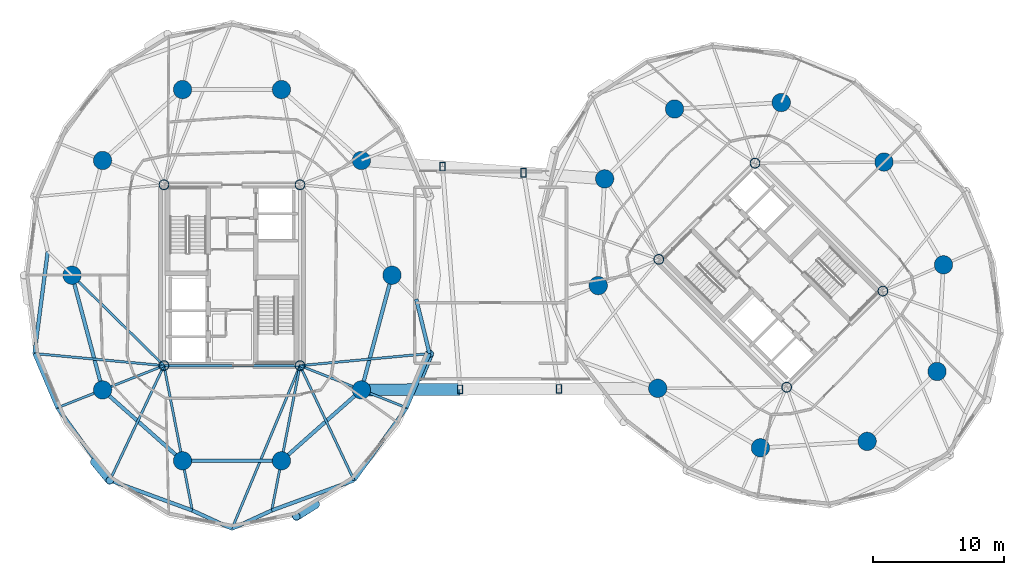
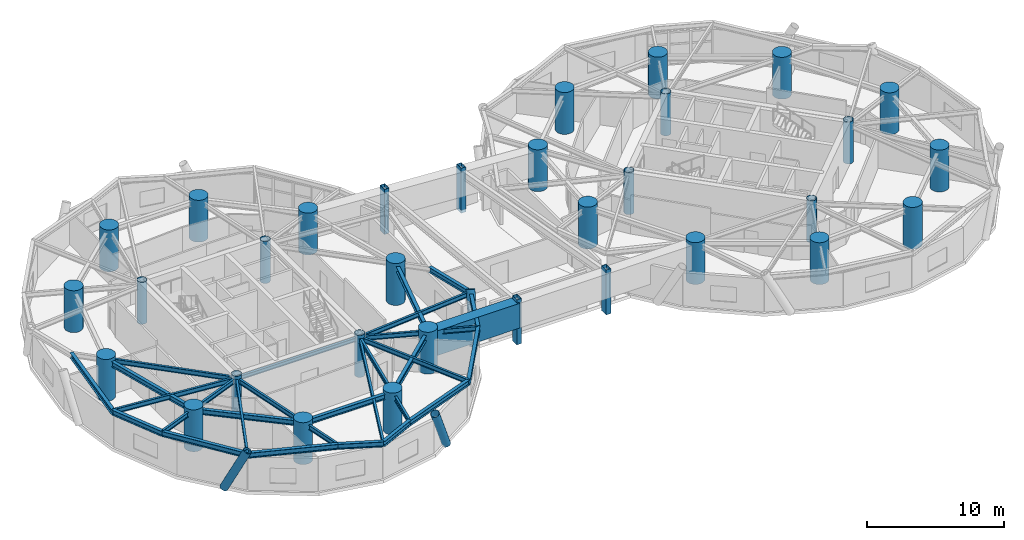
# One storey, part 1 of 17: 32 columns, 27 beams, 3 members.
"""IFC4 building model written with IfcOpenShell, lengths in metres."""

from ifc_helpers import new_model, si_unit, direction, frame, origin, origin_2d, place, context, subcontext, project, spatial, hollow_rectangle, circle, hollow_circle, i_section, extrude, material, material_profile, profile_set, type_object, element, save


model = new_model("IFC4")

# Units and contexts
model_context = context("Model", 3, precision=1e-05, world=origin(), true_north=direction((0.0, 1.0)))
body_context = subcontext(model_context, "Body", "Model", "MODEL_VIEW")
ifc_project = project(units=[si_unit("LENGTHUNIT", "METRE"), si_unit("AREAUNIT", "SQUARE_METRE"), si_unit("VOLUMEUNIT", "CUBIC_METRE"), si_unit("PLANEANGLEUNIT", "RADIAN"), si_unit("MASSUNIT", "GRAM", prefix="KILO")], contexts=[model_context])

# Site, building, storey
site_placement = place(None, origin())
site = spatial("IfcSite", under=ifc_project, at=site_placement, CompositionType="ELEMENT")
building_placement = place(site_placement, origin())
building = spatial("IfcBuilding", under=site, at=building_placement, Name="Cununo Teusaquillo Station Towers", CompositionType="ELEMENT")
storey_placement = place(building_placement, frame((0.0, 0.0, 125.43994140625)))
storey = spatial("IfcBuildingStorey", under=building, at=storey_placement, Name="L40", CompositionType="ELEMENT", Elevation=125.43994140625)

# Columns
ifc_material_1 = material(Name="Steel ASTM A572 Grade 50", Category="steel")
ifc_material_profile_1 = material_profile(ifc_material_1, hollow_rectangle(XDim=0.39990234375, YDim=0.64990234375, WallThickness=0.02490234375, at=origin_2d()), Name="RHS 650x400x25")
ifc_profile_set_1 = profile_set([ifc_material_profile_1], Name="Steel ASTM A572 Grade 50")
column_type_1 = type_object("IfcColumnType", Name="COL-BRG-POST", PredefinedType="COLUMN", material=ifc_profile_set_1)
for number, where, z_axis, x_axis, name in (
    (1, (33.862548828125, 15.81201171875, -0.280029296875), (0.0, 0.0, 1.0), (1.0, 0.0, 0.0), "L40 Mid-Bridge Vierendeel Post S1"),
    (2, (41.377685546875, 15.8525390625, -0.280029296875), (0.0, 0.0, 1.0), (1.0, 0.0, 0.0), "L40 Mid-Bridge Vierendeel Post S2"),
    (3, (32.51611328125, 32.761474609375, -0.280029296875), (0.0, 0.0, 1.0), (1.0, 0.0, 0.0), "L40 Mid-Bridge Vierendeel Post N1"),
    (4, (38.684814453125, 32.294189453125, -0.280029296875), (0.0, 0.0, 1.0), (1.0, 0.0, 0.0), "L40 Mid-Bridge Vierendeel Post N2"),
):
    element("IfcColumn", number, at=place(storey_placement, frame(where, z_axis=z_axis, x_axis=x_axis)), inside=storey, type_object=column_type_1, Name=name, PredefinedType="COLUMN", context=body_context, shape_type="SweptSolid", body=[
        extrude(hollow_rectangle(XDim=0.39990234375, YDim=0.64990234375, WallThickness=0.02490234375, at=origin_2d()), origin(), (0.0, 0.0, 1.0), 4.0),
    ])
ifc_material_2 = material(Name="Steel EN 10025-2 S355J2", Category="steel")
ifc_material_profile_2 = material_profile(ifc_material_2, hollow_circle(Radius=0.3798828125, WallThickness=0.031982421875, at=origin_2d()), Name="CHS 760x32")
ifc_profile_set_2 = profile_set([ifc_material_profile_2], Name="Steel EN 10025-2 S355J2")
column_type_2 = type_object("IfcColumnType", Name="COL-CORE-Z2", PredefinedType="COLUMN", material=ifc_profile_set_2)
for number, where, z_axis, x_axis, name in (
    (5, (11.324951171875, 17.6201171875, 0.0), (0.0, 0.0, 1.0), (1.0, 0.0, 0.0), "L40 Tower A Core Column 1"),
    (6, (11.324951171875, 31.3798828125, 0.0), (0.0, 0.0, 1.0), (1.0, 0.0, 0.0), "L40 Tower A Core Column 2"),
    (7, (21.675048828125, 17.6201171875, 0.0), (0.0, 0.0, 1.0), (1.0, 0.0, 0.0), "L40 Tower A Core Column 3"),
    (8, (21.675048828125, 31.3798828125, 0.0), (0.0, 0.0, 1.0), (1.0, 0.0, 0.0), "L40 Tower A Core Column 4"),
    (9, (58.70556640625, 15.975830078125, 0.0), (0.0, 0.0, 1.0), (0.707106781187, 0.707106781187, 0.0), "L40 Tower B Core Column 1"),
    (10, (48.975830078125, 25.70556640625, 0.0), (0.0, 0.0, 1.0), (0.707106781187, 0.707106781187, 0.0), "L40 Tower B Core Column 2"),
    (11, (66.024169921875, 23.29443359375, 0.0), (0.0, 0.0, 1.0), (0.707106781187, 0.707106781187, 0.0), "L40 Tower B Core Column 3"),
    (12, (56.29443359375, 33.024169921875, 0.0), (0.0, 0.0, 1.0), (0.707106781187, 0.707106781187, 0.0), "L40 Tower B Core Column 4"),
):
    element("IfcColumn", number, at=place(storey_placement, frame(where, z_axis=z_axis, x_axis=x_axis)), inside=storey, type_object=column_type_2, Name=name, PredefinedType="COLUMN", context=body_context, shape_type="SweptSolid", body=[
        extrude(hollow_circle(Radius=0.3798828125, WallThickness=0.031982421875, at=origin_2d()), origin(), (0.0, 0.0, 1.0), 3.719970703125),
    ])
ifc_material_3 = material(Name="Concrete C60/75", Category="concrete")
ifc_material_profile_3 = material_profile(ifc_material_3, circle(Radius=0.699951171875, at=origin_2d()), Name="RC-CIRC-1400")
ifc_profile_set_3 = profile_set([ifc_material_profile_3], Name="Concrete C60/75")
column_type_3 = type_object("IfcColumnType", Name="COL-MEGA-Z2", PredefinedType="USERDEFINED", material=ifc_profile_set_3)
for number, where, z_axis, x_axis, name in (
    (13, (28.672119140625, 24.5, 0.0), (0.0, 0.0, 1.0), (1.0, 0.0, 0.0), "L40 Tower A Perimeter Column V00"),
    (14, (26.347412109375, 33.228515625, 0.0), (0.0, 0.0, 1.0), (1.0, 0.0, 0.0), "L40 Tower A Perimeter Column V02"),
    (15, (20.261474609375, 38.623291015625, 0.0), (0.0, 0.0, 1.0), (1.0, 0.0, 0.0), "L40 Tower A Perimeter Column V04"),
    (16, (12.738525390625, 38.623291015625, 0.0), (0.0, 0.0, 1.0), (1.0, 0.0, 0.0), "L40 Tower A Perimeter Column V06"),
    (17, (6.652587890625, 33.228515625, 0.0), (0.0, 0.0, 1.0), (1.0, 0.0, 0.0), "L40 Tower A Perimeter Column V08"),
    (18, (4.327880859375, 24.5, 0.0), (0.0, 0.0, 1.0), (1.0, 0.0, 0.0), "L40 Tower A Perimeter Column V10"),
    (19, (6.652587890625, 15.771484375, 0.0), (0.0, 0.0, 1.0), (1.0, 0.0, 0.0), "L40 Tower A Perimeter Column V12"),
    (20, (12.738525390625, 10.376708984375, 0.0), (0.0, 0.0, 1.0), (1.0, 0.0, 0.0), "L40 Tower A Perimeter Column V14"),
    (21, (20.261474609375, 10.376708984375, 0.0), (0.0, 0.0, 1.0), (1.0, 0.0, 0.0), "L40 Tower A Perimeter Column V16"),
    (22, (26.347412109375, 15.771484375, 0.0), (0.0, 0.0, 1.0), (1.0, 0.0, 0.0), "L40 Tower A Perimeter Column V18"),
    (23, (66.10693359375, 33.10693359375, 0.0), (0.0, 0.0, 1.0), (1.0, 0.0, 0.0), "L40 Tower B Perimeter Column V00"),
    (24, (58.291015625, 37.63525390625, 0.0), (0.0, 0.0, 1.0), (1.0, 0.0, 0.0), "L40 Tower B Perimeter Column V02"),
    (25, (50.173095703125, 37.146240234375, 0.0), (0.0, 0.0, 1.0), (1.0, 0.0, 0.0), "L40 Tower B Perimeter Column V04"),
    (26, (44.853759765625, 31.826904296875, 0.0), (0.0, 0.0, 1.0), (1.0, 0.0, 0.0), "L40 Tower B Perimeter Column V06"),
    (27, (44.36474609375, 23.708984375, 0.0), (0.0, 0.0, 1.0), (1.0, 0.0, 0.0), "L40 Tower B Perimeter Column V08"),
    (28, (48.89306640625, 15.89306640625, 0.0), (0.0, 0.0, 1.0), (1.0, 0.0, 0.0), "L40 Tower B Perimeter Column V10"),
    (29, (56.708984375, 11.36474609375, 0.0), (0.0, 0.0, 1.0), (1.0, 0.0, 0.0), "L40 Tower B Perimeter Column V12"),
    (30, (64.826904296875, 11.853759765625, 0.0), (0.0, 0.0, 1.0), (1.0, 0.0, 0.0), "L40 Tower B Perimeter Column V14"),
    (31, (70.146240234375, 17.173095703125, 0.0), (0.0, 0.0, 1.0), (1.0, 0.0, 0.0), "L40 Tower B Perimeter Column V16"),
    (32, (70.63525390625, 25.291015625, 0.0), (0.0, 0.0, 1.0), (1.0, 0.0, 0.0), "L40 Tower B Perimeter Column V18"),
):
    element("IfcColumn", number, at=place(storey_placement, frame(where, z_axis=z_axis, x_axis=x_axis)), inside=storey, type_object=column_type_3, Name=name, ObjectType="MEGA COLUMN", PredefinedType="USERDEFINED", context=body_context, shape_type="SweptSolid", body=[
        extrude(circle(Radius=0.699951171875, at=origin_2d()), origin(), (0.0, 0.0, 1.0), 3.719970703125),
    ])

# Beams
ifc_material_4 = material(Name="Steel ASTM A572 Grade 50", Category="steel")
ifc_material_profile_4 = material_profile(ifc_material_4, i_section(OverallWidth=0.180908203125, OverallDepth=0.4169921875, WebThickness=0.010986328125, FlangeThickness=0.018310546875, FilletRadius=0.012939453125, at=origin_2d()), Name="W16X57")
ifc_profile_set_4 = profile_set([ifc_material_profile_4], Name="Steel ASTM A572 Grade 50")
beam_type_1 = type_object("IfcBeamType", Name="BM-JOIST-1", PredefinedType="JOIST", material=ifc_profile_set_4)
beam_1_placement = place(storey_placement, frame((11.324951171875, 17.6201171875, 3.2314453125), z_axis=(-0.995678537907, 0.09286683558, 0.0), x_axis=(-0.09286683558, -0.995678537907, 0.0)))
element("IfcBeam", 33, at=beam_1_placement, inside=storey, type_object=beam_type_1, Name="L40 Tower A Radial Spandrel Joist V11", PredefinedType="JOIST", context=body_context, shape_type="SweptSolid", body=[
    extrude(i_section(OverallWidth=0.180908203125, OverallDepth=0.4169921875, WebThickness=0.010986328125, FlangeThickness=0.018310546875, FilletRadius=0.012939453125, at=origin_2d()), origin(), (0.0, 0.0, 1.0), 9.895263671875),
])
beam_2_placement = place(storey_placement, frame((11.324951171875, 17.6201171875, 3.2314453125), z_axis=(-0.426319838016, -0.904572493344, 0.0), x_axis=(0.904572493344, -0.426319838016, 0.0)))
element("IfcBeam", 34, at=beam_2_placement, inside=storey, type_object=beam_type_1, Name="L40 Tower A Radial Spandrel Joist V13", PredefinedType="JOIST", context=body_context, shape_type="SweptSolid", body=[
    extrude(i_section(OverallWidth=0.180908203125, OverallDepth=0.4169921875, WebThickness=0.010986328125, FlangeThickness=0.018310546875, FilletRadius=0.012939453125, at=origin_2d()), origin(), (0.0, 0.0, 1.0), 9.646728515625),
])
beam_3_placement = place(storey_placement, frame((21.675048828125, 17.6201171875, 3.2314453125), z_axis=(-0.38487837995, -0.922967297713, 0.0), x_axis=(0.922967297713, -0.38487837995, 0.0)))
element("IfcBeam", 35, at=beam_3_placement, inside=storey, type_object=beam_type_1, Name="L40 Tower A Radial Spandrel Joist V15", PredefinedType="JOIST", context=body_context, shape_type="SweptSolid", body=[
    extrude(i_section(OverallWidth=0.180908203125, OverallDepth=0.4169921875, WebThickness=0.010986328125, FlangeThickness=0.018310546875, FilletRadius=0.012939453125, at=origin_2d()), origin(), (0.0, 0.0, 1.0), 13.446044921875),
])
beam_4_placement = place(storey_placement, frame((21.675048828125, 17.6201171875, 3.2314453125), z_axis=(0.426319838016, -0.904572493344, 0.0), x_axis=(0.904572493344, 0.426319838016, 0.0)))
element("IfcBeam", 36, at=beam_4_placement, inside=storey, type_object=beam_type_1, Name="L40 Tower A Radial Spandrel Joist V17", PredefinedType="JOIST", context=body_context, shape_type="SweptSolid", body=[
    extrude(i_section(OverallWidth=0.180908203125, OverallDepth=0.4169921875, WebThickness=0.010986328125, FlangeThickness=0.018310546875, FilletRadius=0.012939453125, at=origin_2d()), origin(), (0.0, 0.0, 1.0), 9.646728515625),
])
beam_5_placement = place(storey_placement, frame((21.675048828125, 17.6201171875, 3.2314453125), z_axis=(0.995678537907, 0.09286683558, 0.0), x_axis=(-0.09286683558, 0.995678537907, 0.0)))
element("IfcBeam", 37, at=beam_5_placement, inside=storey, type_object=beam_type_1, Name="L40 Tower A Radial Spandrel Joist V19", PredefinedType="JOIST", context=body_context, shape_type="SweptSolid", body=[
    extrude(i_section(OverallWidth=0.180908203125, OverallDepth=0.4169921875, WebThickness=0.010986328125, FlangeThickness=0.018310546875, FilletRadius=0.012939453125, at=origin_2d()), origin(), (0.0, 0.0, 1.0), 9.895263671875),
])
ifc_material_5 = material(Name="Steel ASTM A572 Grade 50", Category="steel")
ifc_material_profile_5 = material_profile(ifc_material_5, i_section(OverallWidth=0.2041015625, OverallDepth=0.35009765625, WebThickness=0.008544921875, FlangeThickness=0.01513671875, FilletRadius=0.011962890625, at=origin_2d()), Name="W14X48")
ifc_profile_set_5 = profile_set([ifc_material_profile_5], Name="Steel ASTM A572 Grade 50")
beam_type_2 = type_object("IfcBeamType", Name="BM-LINTEL-1", PredefinedType="LINTEL", material=ifc_profile_set_5)
beam_6_placement = place(storey_placement, frame((11.324951171875, 17.6201171875, 3.26513671875), z_axis=(1.0, 0.0, 0.0), x_axis=(0.0, 1.0, 0.0)))
element("IfcBeam", 38, at=beam_6_placement, inside=storey, type_object=beam_type_2, Name="L40 Tower A Core Beam 3", PredefinedType="LINTEL", context=body_context, shape_type="SweptSolid", body=[
    extrude(i_section(OverallWidth=0.2041015625, OverallDepth=0.35009765625, WebThickness=0.008544921875, FlangeThickness=0.01513671875, FilletRadius=0.011962890625, at=origin_2d()), origin(), (0.0, 0.0, 1.0), 10.35009765625),
])
ifc_material_6 = material(Name="Steel ASTM A572 Grade 50", Category="steel")
ifc_material_profile_6 = material_profile(ifc_material_6, i_section(OverallWidth=0.180908203125, OverallDepth=0.4169921875, WebThickness=0.010986328125, FlangeThickness=0.018310546875, FilletRadius=0.012939453125, at=origin_2d()), Name="W16X57")
ifc_profile_set_6 = profile_set([ifc_material_profile_6], Name="Steel ASTM A572 Grade 50")
beam_type_3 = type_object("IfcBeamType", Name="BM-RAD-G2", PredefinedType="BEAM", material=ifc_profile_set_6)
beam_7_placement = place(storey_placement, frame((11.324951171875, 17.6201171875, 3.2314453125), z_axis=(-0.713052701438, 0.701110437073, 0.0), x_axis=(-0.701110437073, -0.713052701438, 0.0)))
element("IfcBeam", 39, at=beam_7_placement, inside=storey, type_object=beam_type_3, Name="L40 Tower A Radial Girder 06A", PredefinedType="BEAM", context=body_context, shape_type="SweptSolid", body=[
    extrude(i_section(OverallWidth=0.180908203125, OverallDepth=0.4169921875, WebThickness=0.010986328125, FlangeThickness=0.018310546875, FilletRadius=0.012939453125, at=origin_2d()), origin(), (0.0, 0.0, 1.0), 9.812744140625),
])
beam_8_placement = place(storey_placement, frame((11.324951171875, 17.6201171875, 3.2314453125), z_axis=(-0.929863123823, -0.367905654963, 0.0), x_axis=(0.367905654963, -0.929863123823, 0.0)))
element("IfcBeam", 40, at=beam_8_placement, inside=storey, type_object=beam_type_3, Name="L40 Tower A Continuous Overhanging Radial Girder 07", PredefinedType="BEAM", context=body_context, shape_type="SweptSolid", body=[
    extrude(i_section(OverallWidth=0.180908203125, OverallDepth=0.4169921875, WebThickness=0.010986328125, FlangeThickness=0.018310546875, FilletRadius=0.012939453125, at=origin_2d()), origin(), (0.0, 0.0, 1.0), 8.715087890625),
])
for number, where, z_axis, x_axis, name in (
    (41, (11.324951171875, 17.6201171875, 3.2314453125), (0.191552755713, -0.981482318628, 0.0), (0.981482318628, 0.191552755713, 0.0), "L40 Tower A Continuous Overhanging Radial Girder 08"),
    (42, (21.675048828125, 17.6201171875, 3.2314453125), (-0.191552755713, -0.981482318628, 0.0), (0.981482318628, -0.191552755713, 0.0), "L40 Tower A Continuous Overhanging Radial Girder 09"),
):
    element("IfcBeam", number, at=place(storey_placement, frame(where, z_axis=z_axis, x_axis=x_axis)), inside=storey, type_object=beam_type_3, Name=name, PredefinedType="BEAM", context=body_context, shape_type="SweptSolid", body=[
        extrude(i_section(OverallWidth=0.180908203125, OverallDepth=0.4169921875, WebThickness=0.010986328125, FlangeThickness=0.018310546875, FilletRadius=0.012939453125, at=origin_2d()), origin(), (0.0, 0.0, 1.0), 11.22998046875),
    ])
beam_9_placement = place(storey_placement, frame((21.675048828125, 17.6201171875, 3.2314453125), z_axis=(0.929863123823, -0.367905654963, 0.0), x_axis=(0.367905654963, 0.929863123823, 0.0)))
element("IfcBeam", 43, at=beam_9_placement, inside=storey, type_object=beam_type_3, Name="L40 Tower A Continuous Overhanging Radial Girder 10", PredefinedType="BEAM", context=body_context, shape_type="SweptSolid", body=[
    extrude(i_section(OverallWidth=0.180908203125, OverallDepth=0.4169921875, WebThickness=0.010986328125, FlangeThickness=0.018310546875, FilletRadius=0.012939453125, at=origin_2d()), origin(), (0.0, 0.0, 1.0), 8.715087890625),
])
ifc_material_7 = material(Name="Steel ASTM A572 Grade 50", Category="steel")
ifc_material_profile_7 = material_profile(ifc_material_7, i_section(OverallWidth=0.280029296875, OverallDepth=0.462890625, WebThickness=0.0107421875, FlangeThickness=0.017333984375, FilletRadius=0.013916015625, at=origin_2d()), Name="W18X76")
ifc_profile_set_7 = profile_set([ifc_material_profile_7], Name="Steel ASTM A572 Grade 50")
beam_type_4 = type_object("IfcBeamType", Name="BM-RING-Z2", PredefinedType="SPANDREL", material=ifc_profile_set_7)
beam_10_placement = place(storey_placement, frame((4.327880859375, 24.5, 3.20849609375), z_axis=(0.257363196347, -0.966314744359, 0.0), x_axis=(0.966314744359, 0.257363196347, 0.0)))
element("IfcBeam", 44, at=beam_10_placement, inside=storey, type_object=beam_type_4, Name="L40 Tower A Structural Column Ring Girder 06", PredefinedType="SPANDREL", context=body_context, shape_type="SweptSolid", body=[
    extrude(i_section(OverallWidth=0.280029296875, OverallDepth=0.462890625, WebThickness=0.0107421875, FlangeThickness=0.017333984375, FilletRadius=0.013916015625, at=origin_2d()), origin(), (0.0, 0.0, 1.0), 9.03271484375),
])
beam_11_placement = place(storey_placement, frame((6.652587890625, 15.771484375, 3.20849609375), z_axis=(0.74832120039, -0.66333655187, 0.0), x_axis=(0.66333655187, 0.74832120039, 0.0)))
element("IfcBeam", 45, at=beam_11_placement, inside=storey, type_object=beam_type_4, Name="L40 Tower A Structural Column Ring Girder 07", PredefinedType="SPANDREL", context=body_context, shape_type="SweptSolid", body=[
    extrude(i_section(OverallWidth=0.280029296875, OverallDepth=0.462890625, WebThickness=0.0107421875, FlangeThickness=0.017333984375, FilletRadius=0.013916015625, at=origin_2d()), origin(), (0.0, 0.0, 1.0), 8.1328125),
])
beam_12_placement = place(storey_placement, frame((12.738525390625, 10.376708984375, 3.20849609375), z_axis=(1.0, 0.0, 0.0), x_axis=(0.0, 1.0, 0.0)))
element("IfcBeam", 46, at=beam_12_placement, inside=storey, type_object=beam_type_4, Name="L40 Tower A Structural Column Ring Girder 08", PredefinedType="SPANDREL", context=body_context, shape_type="SweptSolid", body=[
    extrude(i_section(OverallWidth=0.280029296875, OverallDepth=0.462890625, WebThickness=0.0107421875, FlangeThickness=0.017333984375, FilletRadius=0.013916015625, at=origin_2d()), origin(), (0.0, 0.0, 1.0), 7.52294921875),
])
beam_13_placement = place(storey_placement, frame((20.261474609375, 10.376708984375, 3.20849609375), z_axis=(0.74832120039, 0.66333655187, 0.0), x_axis=(-0.66333655187, 0.74832120039, 0.0)))
element("IfcBeam", 47, at=beam_13_placement, inside=storey, type_object=beam_type_4, Name="L40 Tower A Structural Column Ring Girder 09", PredefinedType="SPANDREL", context=body_context, shape_type="SweptSolid", body=[
    extrude(i_section(OverallWidth=0.280029296875, OverallDepth=0.462890625, WebThickness=0.0107421875, FlangeThickness=0.017333984375, FilletRadius=0.013916015625, at=origin_2d()), origin(), (0.0, 0.0, 1.0), 8.1328125),
])
beam_14_placement = place(storey_placement, frame((26.347412109375, 15.771484375, 3.20849609375), z_axis=(0.257363196347, 0.966314744359, 0.0), x_axis=(-0.966314744359, 0.257363196347, 0.0)))
element("IfcBeam", 48, at=beam_14_placement, inside=storey, type_object=beam_type_4, Name="L40 Tower A Structural Column Ring Girder 10", PredefinedType="SPANDREL", context=body_context, shape_type="SweptSolid", body=[
    extrude(i_section(OverallWidth=0.280029296875, OverallDepth=0.462890625, WebThickness=0.0107421875, FlangeThickness=0.017333984375, FilletRadius=0.013916015625, at=origin_2d()), origin(), (0.0, 0.0, 1.0), 9.03271484375),
])
beam_15_placement = place(storey_placement, frame((2.48291015625, 26.314208984375, 3.20849609375), z_axis=(-0.12888124113, -0.991660035337, 0.0), x_axis=(0.991660035337, -0.12888124113, 0.0)))
element("IfcBeam", 49, at=beam_15_placement, inside=storey, type_object=beam_type_4, Name="L40 Tower A Spandrel Ring Beam 11", PredefinedType="SPANDREL", context=body_context, shape_type="SweptSolid", body=[
    extrude(i_section(OverallWidth=0.280029296875, OverallDepth=0.462890625, WebThickness=0.0107421875, FlangeThickness=0.017333984375, FilletRadius=0.013916015625, at=origin_2d()), origin(), (0.0, 0.0, 1.0), 7.840576171875),
])
beam_16_placement = place(storey_placement, frame((1.472412109375, 18.5390625, 3.20849609375), z_axis=(0.390299356049, -0.920688010494, 0.0), x_axis=(0.920688010494, 0.390299356049, 0.0)))
element("IfcBeam", 50, at=beam_16_placement, inside=storey, type_object=beam_type_4, Name="L40 Tower A Spandrel Ring Beam 12", PredefinedType="SPANDREL", context=body_context, shape_type="SweptSolid", body=[
    extrude(i_section(OverallWidth=0.280029296875, OverallDepth=0.462890625, WebThickness=0.0107421875, FlangeThickness=0.017333984375, FilletRadius=0.013916015625, at=origin_2d()), origin(), (0.0, 0.0, 1.0), 4.480712890625),
])
beam_17_placement = place(storey_placement, frame((3.22119140625, 14.413818359375, 3.20849609375), z_axis=(0.58594455724, -0.810351143543, 0.0), x_axis=(0.810351143543, 0.58594455724, 0.0)))
element("IfcBeam", 51, at=beam_17_placement, inside=storey, type_object=beam_type_4, Name="L40 Tower A Spandrel Ring Beam 13", PredefinedType="SPANDREL", context=body_context, shape_type="SweptSolid", body=[
    extrude(i_section(OverallWidth=0.280029296875, OverallDepth=0.462890625, WebThickness=0.0107421875, FlangeThickness=0.017333984375, FilletRadius=0.013916015625, at=origin_2d()), origin(), (0.0, 0.0, 1.0), 6.8115234375),
])
beam_18_placement = place(storey_placement, frame((7.21240234375, 8.89404296875, 3.20849609375), z_axis=(0.938914161016, -0.34415141761, 0.0), x_axis=(0.34415141761, 0.938914161016, 0.0)))
element("IfcBeam", 52, at=beam_18_placement, inside=storey, type_object=beam_type_4, Name="L40 Tower A Spandrel Ring Beam 14", PredefinedType="SPANDREL", context=body_context, shape_type="SweptSolid", body=[
    extrude(i_section(OverallWidth=0.280029296875, OverallDepth=0.462890625, WebThickness=0.0107421875, FlangeThickness=0.017333984375, FilletRadius=0.013916015625, at=origin_2d()), origin(), (0.0, 0.0, 1.0), 6.671142578125),
])
for number, where, z_axis, x_axis, name in (
    (53, (13.47607421875, 6.59814453125, 3.20849609375), (0.908812215281, -0.417205413862, 0.0), (0.417205413862, 0.908812215281, 0.0), "L40 Tower A Spandrel Ring Beam 15"),
    (54, (16.5, 5.2099609375, 3.20849609375), (0.908812215281, 0.417205413862, 0.0), (-0.417205413862, 0.908812215281, 0.0), "L40 Tower A Spandrel Ring Beam 16"),
):
    element("IfcBeam", number, at=place(storey_placement, frame(where, z_axis=z_axis, x_axis=x_axis)), inside=storey, type_object=beam_type_4, Name=name, PredefinedType="SPANDREL", context=body_context, shape_type="SweptSolid", body=[
        extrude(i_section(OverallWidth=0.280029296875, OverallDepth=0.462890625, WebThickness=0.0107421875, FlangeThickness=0.017333984375, FilletRadius=0.013916015625, at=origin_2d()), origin(), (0.0, 0.0, 1.0), 3.327392578125),
    ])
beam_19_placement = place(storey_placement, frame((19.52392578125, 6.59814453125, 3.20849609375), z_axis=(0.938914161016, 0.34415141761, 0.0), x_axis=(-0.34415141761, 0.938914161016, 0.0)))
element("IfcBeam", 55, at=beam_19_placement, inside=storey, type_object=beam_type_4, Name="L40 Tower A Spandrel Ring Beam 17", PredefinedType="SPANDREL", context=body_context, shape_type="SweptSolid", body=[
    extrude(i_section(OverallWidth=0.280029296875, OverallDepth=0.462890625, WebThickness=0.0107421875, FlangeThickness=0.017333984375, FilletRadius=0.013916015625, at=origin_2d()), origin(), (0.0, 0.0, 1.0), 6.671142578125),
])
beam_20_placement = place(storey_placement, frame((25.78759765625, 8.89404296875, 3.20849609375), z_axis=(0.58594455724, 0.810351143543, 0.0), x_axis=(-0.810351143543, 0.58594455724, 0.0)))
element("IfcBeam", 56, at=beam_20_placement, inside=storey, type_object=beam_type_4, Name="L40 Tower A Spandrel Ring Beam 18", PredefinedType="SPANDREL", context=body_context, shape_type="SweptSolid", body=[
    extrude(i_section(OverallWidth=0.280029296875, OverallDepth=0.462890625, WebThickness=0.0107421875, FlangeThickness=0.017333984375, FilletRadius=0.013916015625, at=origin_2d()), origin(), (0.0, 0.0, 1.0), 6.8115234375),
])
beam_21_placement = place(storey_placement, frame((29.77880859375, 14.413818359375, 3.20849609375), z_axis=(0.390299356049, 0.920688010494, 0.0), x_axis=(-0.920688010494, 0.390299356049, 0.0)))
element("IfcBeam", 57, at=beam_21_placement, inside=storey, type_object=beam_type_4, Name="L40 Tower A Spandrel Ring Beam 19", PredefinedType="SPANDREL", context=body_context, shape_type="SweptSolid", body=[
    extrude(i_section(OverallWidth=0.280029296875, OverallDepth=0.462890625, WebThickness=0.0107421875, FlangeThickness=0.017333984375, FilletRadius=0.013916015625, at=origin_2d()), origin(), (0.0, 0.0, 1.0), 4.480712890625),
])
beam_22_placement = place(storey_placement, frame((31.527587890625, 18.5390625, 3.20849609375), z_axis=(-0.236757334703, 0.971568816124, 0.0), x_axis=(-0.971568816124, -0.236757334703, 0.0)))
element("IfcBeam", 58, at=beam_22_placement, inside=storey, type_object=beam_type_4, Name="L40 Tower A Spandrel Ring Beam 20", PredefinedType="SPANDREL", context=body_context, shape_type="SweptSolid", body=[
    extrude(i_section(OverallWidth=0.280029296875, OverallDepth=0.462890625, WebThickness=0.0107421875, FlangeThickness=0.017333984375, FilletRadius=0.013916015625, at=origin_2d()), origin(), (0.0, 0.0, 1.0), 4.26806640625),
])
ifc_material_8 = material(Name="Steel ASTM A572 Grade 50", Category="steel")
ifc_material_profile_8 = material_profile(ifc_material_8, hollow_rectangle(XDim=0.89990234375, YDim=2.199951171875, WallThickness=0.050048828125, at=origin_2d()), Name="BOX 2200x900x50")
ifc_profile_set_8 = profile_set([ifc_material_profile_8], Name="Steel ASTM A572 Grade 50")
beam_type_5 = type_object("IfcBeamType", Name="BM-XFER-BRG", PredefinedType="USERDEFINED", material=ifc_profile_set_8)
beam_23_placement = place(storey_placement, frame((26.347412109375, 15.771484375, 2.340087890625), z_axis=(0.999985459376, 0.00539268359, 0.0), x_axis=(-0.00539268359, 0.999985459376, 0.0)))
element("IfcBeam", 59, at=beam_23_placement, inside=storey, type_object=beam_type_5, Name="L40 Mid-Bridge Chord S1", ObjectType="TRANSFER GIRDER", PredefinedType="USERDEFINED", context=body_context, shape_type="SweptSolid", body=[
    extrude(hollow_rectangle(XDim=0.89990234375, YDim=2.199951171875, WallThickness=0.050048828125, at=origin_2d()), origin(), (0.0, 0.0, 1.0), 7.51513671875),
])

# Members
ifc_material_9 = material(Name="Steel EN 10025-2 S355J2", Category="steel")
ifc_material_profile_9 = material_profile(ifc_material_9, hollow_circle(Radius=0.330078125, WallThickness=0.02490234375, at=origin_2d()), Name="CHS 660x25")
ifc_profile_set_9 = profile_set([ifc_material_profile_9], Name="Steel EN 10025-2 S355J2")
member_type = type_object("IfcMemberType", Name="MBR-DIAG-Z2", PredefinedType="BRACE", material=ifc_profile_set_9)
member_1_placement = place(storey_placement, frame((6.047119140625, 10.316650390625, -0.139892578125), z_axis=(0.280812502975, -0.342823057791, 0.896446701829), x_axis=(0.773602270202, 0.633671466565, 0.0)))
element("IfcMember", 60, at=member_1_placement, inside=storey, type_object=member_type, Name="L40 Tower A Folded-Zigzag Diagrid Tube C12", PredefinedType="BRACE", context=body_context, shape_type="SweptSolid", body=[
    extrude(hollow_circle(Radius=0.330078125, WallThickness=0.02490234375, at=origin_2d()), origin(), (0.0, 0.0, 1.0), 4.149658203125),
])
member_2_placement = place(storey_placement, frame((22.85107421875, 7.0673828125, -0.139892578125), z_axis=(-0.35791948, -0.222643294759, 0.906820604715), x_axis=(0.528195574716, -0.849122744278, 0.0)))
element("IfcMember", 61, at=member_2_placement, inside=storey, type_object=member_type, Name="L40 Tower A Folded-Zigzag Diagrid Tube C16", PredefinedType="BRACE", context=body_context, shape_type="SweptSolid", body=[
    extrude(hollow_circle(Radius=0.330078125, WallThickness=0.02490234375, at=origin_2d()), origin(), (0.0, 0.0, 1.0), 4.102294921875),
])
member_3_placement = place(storey_placement, frame((30.779541015625, 16.74658203125, -0.139892578125), z_axis=(0.17825428596, 0.427135433263, 0.886442739938), x_axis=(-0.922861086318, 0.385132983993, 0.0)))
element("IfcMember", 62, at=member_3_placement, inside=storey, type_object=member_type, Name="L40 Tower A Folded-Zigzag Diagrid Tube C18", PredefinedType="BRACE", context=body_context, shape_type="SweptSolid", body=[
    extrude(hollow_circle(Radius=0.330078125, WallThickness=0.02490234375, at=origin_2d()), origin(), (0.0, 0.0, 1.0), 4.196533203125),
])

save(model, "model.ifc")
